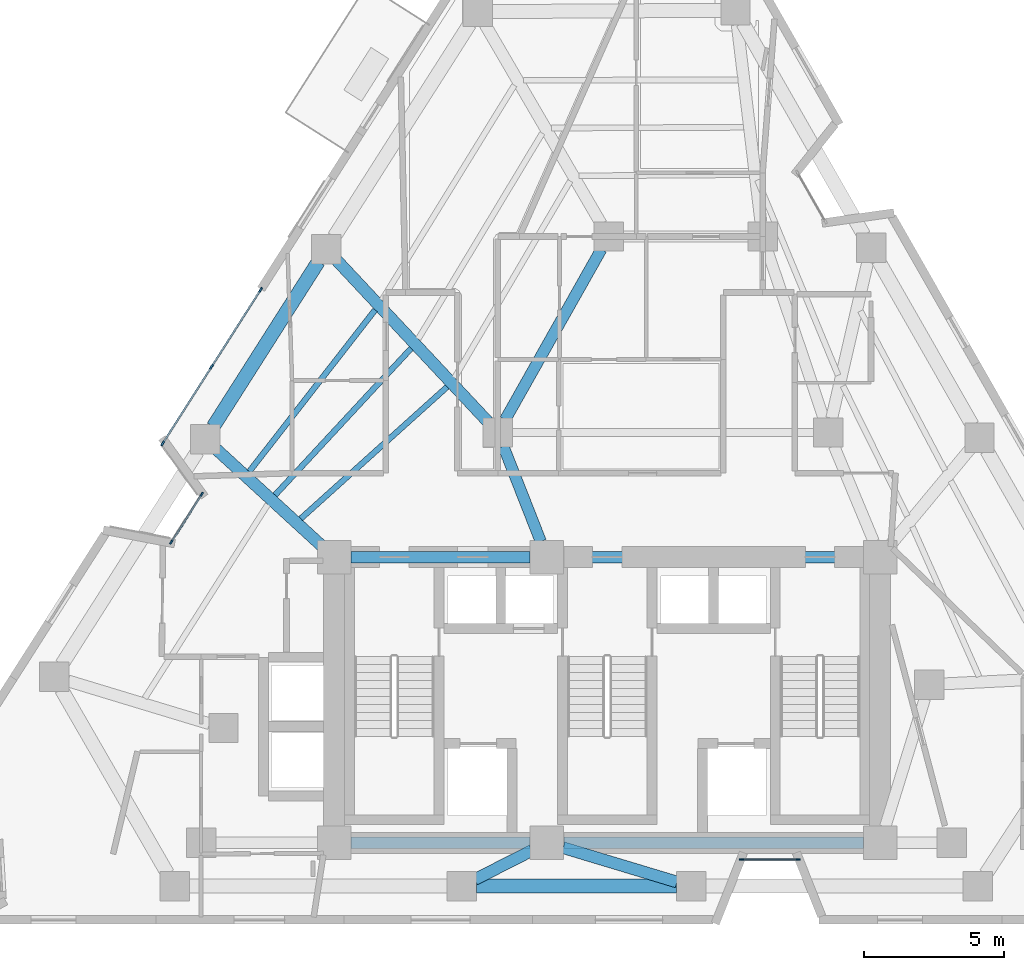
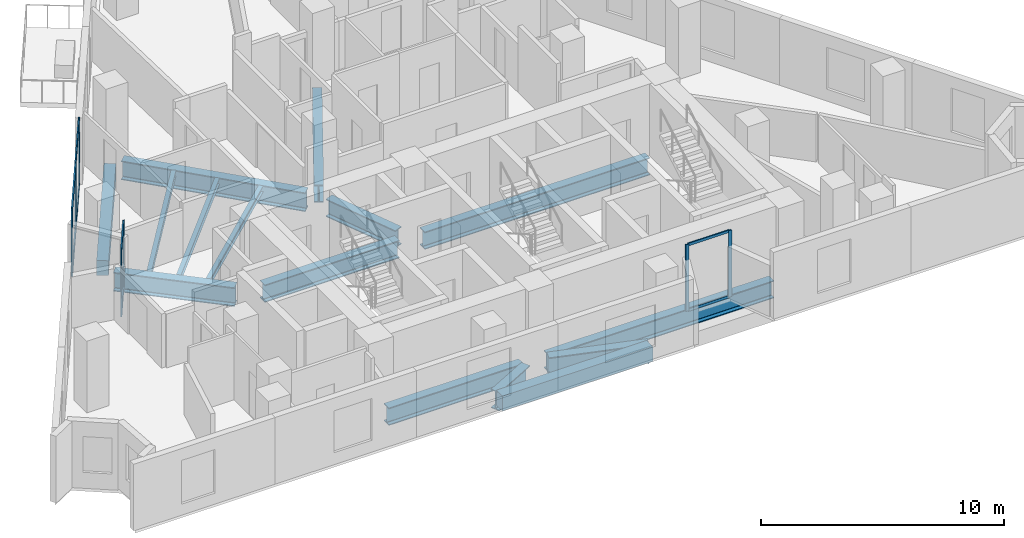
# One storey, part 2 of 11: 15 beams, 15 members, 3 elements without a shape of their own.
"""IFC4 building model written with IfcOpenShell, lengths in metres."""

from ifc_helpers import new_model, si_unit, direction, frame, origin, origin_2d, place, context, subcontext, project, spatial, rectangle, i_section, extrude, material, layer, layer_set, material_profile, profile_set, type_object, element, aggregate, save


model = new_model("IFC4")

# Units and contexts
model_context = context("Model", 3, precision=1e-05, world=origin(), true_north=direction((0.0, 1.0)))
body_context = subcontext(model_context, "Body", "Model", "MODEL_VIEW")
ifc_project = project(units=[si_unit("LENGTHUNIT", "METRE"), si_unit("AREAUNIT", "SQUARE_METRE"), si_unit("VOLUMEUNIT", "CUBIC_METRE"), si_unit("PLANEANGLEUNIT", "RADIAN"), si_unit("MASSUNIT", "GRAM", prefix="KILO")], contexts=[model_context])

# Site, building, storey
site_placement = place(None, origin())
site = spatial("IfcSite", under=ifc_project, at=site_placement, CompositionType="ELEMENT")
building_placement = place(site_placement, origin())
building = spatial("IfcBuilding", under=site, at=building_placement, Name="Almagre Mirador Tower", CompositionType="ELEMENT")
storey_placement = place(building_placement, frame((0.0, 0.0, 135.60009765625)))
storey = spatial("IfcBuildingStorey", under=building, at=storey_placement, Name="L34", CompositionType="ELEMENT", Elevation=135.60009765625)

# Beams
ifc_material_1 = material(Name="Steel ASTM A992 Grade 50", Category="steel")
ifc_material_profile_1 = material_profile(ifc_material_1, i_section(OverallWidth=0.205078125, OverallDepth=0.31005859375, WebThickness=0.009521484375, FlangeThickness=0.016357421875, FilletRadius=0.013916015625, at=origin_2d()), Name="W12X50")
ifc_profile_set_1 = profile_set([ifc_material_profile_1], Name="Steel ASTM A992 Grade 50")
beam_type_1 = type_object("IfcBeamType", Name="BM-JST-W12X50", PredefinedType="JOIST", material=ifc_profile_set_1)
beam_1_placement = place(storey_placement, frame((29.015869140625, 23.578369140625, -0.405029296875), z_axis=(-0.614273412144, -0.789093261366, 0.0), x_axis=(0.789093261366, -0.614273412144, 0.0)))
element("IfcBeam", 1, at=beam_1_placement, inside=storey, type_object=beam_type_1, Name="L34 secondary floor joist PC10-PC11.1", PredefinedType="JOIST", context=body_context, shape_type="SweptSolid", body=[
    extrude(i_section(OverallWidth=0.205078125, OverallDepth=0.31005859375, WebThickness=0.009521484375, FlangeThickness=0.016357421875, FilletRadius=0.013916015625, at=origin_2d()), origin(), (0.0, 0.0, 1.0), 7.312255859375),
])
beam_2_placement = place(storey_placement, frame((30.30029296875, 22.202880859375, -0.405029296875), z_axis=(-0.680187499741, -0.733038174446, 0.0), x_axis=(0.733038174446, -0.680187499741, 0.0)))
element("IfcBeam", 2, at=beam_2_placement, inside=storey, type_object=beam_type_1, Name="L34 secondary floor joist PC10-PC11.2", PredefinedType="JOIST", context=body_context, shape_type="SweptSolid", body=[
    extrude(i_section(OverallWidth=0.205078125, OverallDepth=0.31005859375, WebThickness=0.009521484375, FlangeThickness=0.016357421875, FilletRadius=0.013916015625, at=origin_2d()), origin(), (0.0, 0.0, 1.0), 7.1416015625),
])
beam_3_placement = place(storey_placement, frame((31.58544921875, 20.8291015625, -0.405029296875), z_axis=(-0.743221618639, -0.669045309069, 0.0), x_axis=(0.669045309069, -0.743221618639, 0.0)))
element("IfcBeam", 3, at=beam_3_placement, inside=storey, type_object=beam_type_1, Name="L34 secondary floor joist PC10-PC11.3", PredefinedType="JOIST", context=body_context, shape_type="SweptSolid", body=[
    extrude(i_section(OverallWidth=0.205078125, OverallDepth=0.31005859375, WebThickness=0.009521484375, FlangeThickness=0.016357421875, FilletRadius=0.013916015625, at=origin_2d()), origin(), (0.0, 0.0, 1.0), 7.0302734375),
])
ifc_material_2 = material(Name="Precast concrete C50/60", Category="concrete")
ifc_material_profile_2 = material_profile(ifc_material_2, rectangle(XDim=0.5, YDim=0.75, at=origin_2d()), Name="RC500X750")
ifc_profile_set_2 = profile_set([ifc_material_profile_2], Name="Precast concrete C50/60")
beam_type_2 = type_object("IfcBeamType", Name="BM-SPN-RC500X750", PredefinedType="SPANDREL", material=ifc_profile_set_2)
beam_4_placement = place(storey_placement, frame((32.62890625, 3.0, -0.625), z_axis=(1.0, 0.0, 0.0), x_axis=(0.0, 1.0, 0.0)))
element("IfcBeam", 4, at=beam_4_placement, inside=storey, type_object=beam_type_2, Name="L34 perimeter spandrel beam PC02-PC03", PredefinedType="SPANDREL", context=body_context, shape_type="SweptSolid", body=[
    extrude(rectangle(XDim=0.5, YDim=0.75, at=origin_2d()), origin(), (0.0, 0.0, 1.0), 7.14208984375),
])
beam_5_placement = place(storey_placement, frame((26.989990234375, 25.30419921875, -0.625), z_axis=(-0.537135259931, -0.843496124792, 0.0), x_axis=(0.843496124792, -0.537135259931, 0.0)))
element("IfcBeam", 5, at=beam_5_placement, inside=storey, type_object=beam_type_2, Name="L34 perimeter spandrel beam PC10-PC11", PredefinedType="SPANDREL", context=body_context, shape_type="SweptSolid", body=[
    extrude(rectangle(XDim=0.5, YDim=0.75, at=origin_2d()), origin(), (0.0, 0.0, 1.0), 6.992919921875),
])
ifc_material_3 = material(Name="Steel ASTM A992 Grade 50", Category="steel")
ifc_material_profile_3 = material_profile(ifc_material_3, i_section(OverallWidth=0.404052734375, OverallDepth=0.884033203125, WebThickness=0.0244140625, FlangeThickness=0.0439453125, FilletRadius=0.02490234375, at=origin_2d()), Name="W33X291")
ifc_profile_set_3 = profile_set([ifc_material_profile_3], Name="Steel ASTM A992 Grade 50")
beam_type_3 = type_object("IfcBeamType", Name="BM-STL-W33X291", PredefinedType="BEAM", material=ifc_profile_set_3)
beam_6_placement = place(storey_placement, frame((28.14990234375, 4.550048828125, -0.692138671875), z_axis=(1.0, 0.0, 0.0), x_axis=(0.0, 1.0, 0.0)))
element("IfcBeam", 6, at=beam_6_placement, inside=storey, type_object=beam_type_3, Name="L34 core tie girder CC1-CC2", PredefinedType="BEAM", context=body_context, shape_type="SweptSolid", body=[
    extrude(i_section(OverallWidth=0.404052734375, OverallDepth=0.884033203125, WebThickness=0.0244140625, FlangeThickness=0.0439453125, FilletRadius=0.02490234375, at=origin_2d()), origin(), (0.0, 0.0, 1.0), 6.400146484375),
])
beam_7_placement = place(storey_placement, frame((35.75, 4.550048828125, -0.692138671875), z_axis=(1.0, 0.0, 0.0), x_axis=(0.0, 1.0, 0.0)))
element("IfcBeam", 7, at=beam_7_placement, inside=storey, type_object=beam_type_3, Name="L34 core tie girder CC2-CC3", PredefinedType="BEAM", context=body_context, shape_type="SweptSolid", body=[
    extrude(i_section(OverallWidth=0.404052734375, OverallDepth=0.884033203125, WebThickness=0.0244140625, FlangeThickness=0.0439453125, FilletRadius=0.02490234375, at=origin_2d()), origin(), (0.0, 0.0, 1.0), 10.699951171875),
])
beam_8_placement = place(storey_placement, frame((28.14990234375, 14.75, -0.692138671875), z_axis=(1.0, 0.0, 0.0), x_axis=(0.0, 1.0, 0.0)))
element("IfcBeam", 8, at=beam_8_placement, inside=storey, type_object=beam_type_3, Name="L34 core tie girder CC4-CC5", PredefinedType="BEAM", context=body_context, shape_type="SweptSolid", body=[
    extrude(i_section(OverallWidth=0.404052734375, OverallDepth=0.884033203125, WebThickness=0.0244140625, FlangeThickness=0.0439453125, FilletRadius=0.02490234375, at=origin_2d()), origin(), (0.0, 0.0, 1.0), 6.400146484375),
])
beam_9_placement = place(storey_placement, frame((35.75, 14.75, -0.692138671875), z_axis=(1.0, 0.0, 0.0), x_axis=(0.0, 1.0, 0.0)))
element("IfcBeam", 9, at=beam_9_placement, inside=storey, type_object=beam_type_3, Name="L34 core tie girder CC5-CC6", PredefinedType="BEAM", context=body_context, shape_type="SweptSolid", body=[
    extrude(i_section(OverallWidth=0.404052734375, OverallDepth=0.884033203125, WebThickness=0.0244140625, FlangeThickness=0.0439453125, FilletRadius=0.02490234375, at=origin_2d()), origin(), (0.0, 0.0, 1.0), 10.699951171875),
])
beam_10_placement = place(storey_placement, frame((37.092041015625, 25.742919921875, -0.692138671875), z_axis=(-0.491443510044, -0.870909453638, 0.0), x_axis=(0.870909453638, -0.491443510044, 0.0)))
element("IfcBeam", 10, at=beam_10_placement, inside=storey, type_object=beam_type_3, Name="L34 core tie girder MC7-MC8", PredefinedType="BEAM", context=body_context, shape_type="SweptSolid", body=[
    extrude(i_section(OverallWidth=0.404052734375, OverallDepth=0.884033203125, WebThickness=0.0244140625, FlangeThickness=0.0439453125, FilletRadius=0.02490234375, at=origin_2d()), origin(), (0.0, 0.0, 1.0), 6.98779296875),
])
beam_11_placement = place(storey_placement, frame((33.592041015625, 18.71142578125, -0.692138671875), z_axis=(0.365997304164, -0.930615910752, 0.0), x_axis=(0.930615910752, 0.365997304164, 0.0)))
element("IfcBeam", 11, at=beam_11_placement, inside=storey, type_object=beam_type_3, Name="L34 core tie girder MC8-CC5", PredefinedType="BEAM", context=body_context, shape_type="SweptSolid", body=[
    extrude(i_section(OverallWidth=0.404052734375, OverallDepth=0.884033203125, WebThickness=0.0244140625, FlangeThickness=0.0439453125, FilletRadius=0.02490234375, at=origin_2d()), origin(), (0.0, 0.0, 1.0), 3.65673828125),
])
ifc_material_4 = material(Name="Steel ASTM A992 Grade 50", Category="steel")
ifc_material_profile_4 = material_profile(ifc_material_4, i_section(OverallWidth=0.423095703125, OverallDepth=0.947998046875, WebThickness=0.02392578125, FlangeThickness=0.042724609375, FilletRadius=0.028076171875, at=origin_2d()), Name="W36X302")
ifc_profile_set_4 = profile_set([ifc_material_profile_4], Name="Steel ASTM A992 Grade 50")
beam_type_4 = type_object("IfcBeamType", Name="BM-STL-W36X302", PredefinedType="BEAM", material=ifc_profile_set_4)
beam_12_placement = place(storey_placement, frame((32.572021484375, 3.238037109375, -0.72412109375), z_axis=(0.891231211208, 0.453549256606, 0.0), x_axis=(-0.453549256606, 0.891231211208, 0.0)))
element("IfcBeam", 12, at=beam_12_placement, inside=storey, type_object=beam_type_4, Name="L34 radial floor girder PC02-CC2", PredefinedType="BEAM", context=body_context, shape_type="SweptSolid", body=[
    extrude(i_section(OverallWidth=0.423095703125, OverallDepth=0.947998046875, WebThickness=0.02392578125, FlangeThickness=0.042724609375, FilletRadius=0.028076171875, at=origin_2d()), origin(), (0.0, 0.0, 1.0), 2.29248046875),
])
beam_13_placement = place(storey_placement, frame((39.793212890625, 3.1513671875, -0.72412109375), z_axis=(-0.957501498255, 0.288428294104, 0.0), x_axis=(-0.288428294104, -0.957501498255, 0.0)))
element("IfcBeam", 13, at=beam_13_placement, inside=storey, type_object=beam_type_4, Name="L34 radial floor girder PC03-CC2", PredefinedType="BEAM", context=body_context, shape_type="SweptSolid", body=[
    extrude(i_section(OverallWidth=0.423095703125, OverallDepth=0.947998046875, WebThickness=0.02392578125, FlangeThickness=0.042724609375, FilletRadius=0.028076171875, at=origin_2d()), origin(), (0.0, 0.0, 1.0), 4.249267578125),
])
beam_14_placement = place(storey_placement, frame((27.630859375, 25.36376953125, -0.72412109375), z_axis=(0.683347013073, -0.730093733519, 0.0), x_axis=(0.730093733519, 0.683347013073, 0.0)))
element("IfcBeam", 14, at=beam_14_placement, inside=storey, type_object=beam_type_4, Name="L34 radial floor girder PC10-MC8", PredefinedType="BEAM", context=body_context, shape_type="SweptSolid", body=[
    extrude(i_section(OverallWidth=0.423095703125, OverallDepth=0.947998046875, WebThickness=0.02392578125, FlangeThickness=0.042724609375, FilletRadius=0.028076171875, at=origin_2d()), origin(), (0.0, 0.0, 1.0), 7.91748046875),
])
beam_15_placement = place(storey_placement, frame((23.339111328125, 18.6083984375, -0.72412109375), z_axis=(0.73728894688, -0.675577537229, 0.0), x_axis=(0.675577537229, 0.73728894688, 0.0)))
element("IfcBeam", 15, at=beam_15_placement, inside=storey, type_object=beam_type_4, Name="L34 radial floor girder PC11-CC4", PredefinedType="BEAM", context=body_context, shape_type="SweptSolid", body=[
    extrude(i_section(OverallWidth=0.423095703125, OverallDepth=0.947998046875, WebThickness=0.02392578125, FlangeThickness=0.042724609375, FilletRadius=0.028076171875, at=origin_2d()), origin(), (0.0, 0.0, 1.0), 5.111328125),
])

# Curtain wall, members
ifc_material_5 = material(Name="Black anodized aluminium", Category="aluminium")
ifc_layer_1 = layer(ifc_material_5, 0.169921875)
ifc_layer_set_1 = layer_set([ifc_layer_1], Name="Black anodized aluminium")
curtain_wall_type_1 = type_object("IfcCurtainWallType", Name="CW-CRS-SYS", PredefinedType="NOTDEFINED", material=ifc_layer_set_1)
curtain_wall_1_placement = place(storey_placement, origin())
curtain_wall_1 = element("IfcCurtainWall", 16, at=curtain_wall_1_placement, inside=storey, type_object=curtain_wall_type_1, Name="L34 vertical crease curtain wall 01", PredefinedType="NOTDEFINED")
ifc_material_6 = material(Name="Black anodized aluminium", Category="aluminium")
ifc_material_profile_5 = material_profile(ifc_material_6, rectangle(XDim=0.06005859375, YDim=0.14990234375, at=origin_2d()), Name="CWM60X150")
ifc_profile_set_5 = profile_set([ifc_material_profile_5], Name="Black anodized aluminium")
member_type_1 = type_object("IfcMemberType", Name="MBR-CWM60X150", PredefinedType="MULLION", material=ifc_profile_set_5)
member_1_placement = place(storey_placement, frame((21.736083984375, 15.284423828125, 0.0), z_axis=(0.0, 0.0, 1.0), x_axis=(-0.84364178314, 0.536906455298, 0.0)))
member_1 = element("IfcMember", 17, at=member_1_placement, type_object=member_type_1, Name="CW-4 mullion 1", PredefinedType="MULLION", context=body_context, shape_type="SweptSolid", body=[
    extrude(rectangle(XDim=0.06005859375, YDim=0.14990234375, at=origin_2d()), origin(), (0.0, 0.0, 1.0), 3.349853515625),
])
member_2_placement = place(storey_placement, frame((22.825927734375, 16.99658203125, 0.0), z_axis=(0.0, 0.0, 1.0), x_axis=(-0.84364178314, 0.536906455298, 0.0)))
member_2 = element("IfcMember", 18, at=member_2_placement, type_object=member_type_1, Name="CW-4 mullion 2", PredefinedType="MULLION", context=body_context, shape_type="SweptSolid", body=[
    extrude(rectangle(XDim=0.06005859375, YDim=0.14990234375, at=origin_2d()), origin(), (0.0, 0.0, 1.0), 3.349853515625),
])

curtain_wall_2_placement = place(storey_placement, origin())
curtain_wall_2 = element("IfcCurtainWall", 19, at=curtain_wall_2_placement, inside=storey, type_object=curtain_wall_type_1, Name="L34 vertical crease curtain wall 04", PredefinedType="NOTDEFINED")
member_3_placement = place(storey_placement, frame((44.126953125, 3.949951171875, 0.0), z_axis=(0.0, 0.0, 1.0), x_axis=(0.0, -1.0, 0.0)))
member_3 = element("IfcMember", 20, at=member_3_placement, type_object=member_type_1, Name="CW-4 mullion 1", PredefinedType="MULLION", context=body_context, shape_type="SweptSolid", body=[
    extrude(rectangle(XDim=0.06005859375, YDim=0.14990234375, at=origin_2d()), origin(), (0.0, 0.0, 1.0), 3.349853515625),
])
member_4_placement = place(storey_placement, frame((42.096923828125, 3.949951171875, 0.0), z_axis=(0.0, 0.0, 1.0), x_axis=(0.0, -1.0, 0.0)))
member_4 = element("IfcMember", 21, at=member_4_placement, type_object=member_type_1, Name="CW-4 mullion 2", PredefinedType="MULLION", context=body_context, shape_type="SweptSolid", body=[
    extrude(rectangle(XDim=0.06005859375, YDim=0.14990234375, at=origin_2d()), origin(), (0.0, 0.0, 1.0), 3.349853515625),
])

ifc_material_7 = material(Name="Black anodized aluminium", Category="aluminium")
ifc_layer_2 = layer(ifc_material_7, 0.199951171875)
ifc_layer_set_2 = layer_set([ifc_layer_2], Name="Black anodized aluminium")
curtain_wall_type_2 = type_object("IfcCurtainWallType", Name="CW-RES-H-SYS", PredefinedType="NOTDEFINED", material=ifc_layer_set_2)
curtain_wall_3_placement = place(storey_placement, origin())
curtain_wall_3 = element("IfcCurtainWall", 22, at=curtain_wall_3_placement, inside=storey, type_object=curtain_wall_type_2, Name="L34 curtain wall run 02", PredefinedType="NOTDEFINED")
ifc_material_8 = material(Name="Black anodized aluminium", Category="aluminium")
ifc_material_profile_6 = material_profile(ifc_material_8, rectangle(XDim=0.06494140625, YDim=0.179931640625, at=origin_2d()), Name="CWM65X180")
ifc_profile_set_6 = profile_set([ifc_material_profile_6], Name="Black anodized aluminium")
member_type_2 = type_object("IfcMemberType", Name="MBR-CWM65X180", PredefinedType="MULLION", material=ifc_profile_set_6)
member_5_placement = place(storey_placement, frame((21.43017578125, 18.807373046875, 0.0), z_axis=(0.0, 0.0, 1.0), x_axis=(-0.843502236754, 0.537125661825, 0.0)))
member_5 = element("IfcMember", 23, at=member_5_placement, type_object=member_type_2, Name="CW-3 mullion 1", PredefinedType="MULLION", context=body_context, shape_type="SweptSolid", body=[
    extrude(rectangle(XDim=0.06494140625, YDim=0.179931640625, at=origin_2d()), origin(), (0.0, 0.0, 1.0), 3.349853515625),
])
member_6_placement = place(storey_placement, frame((23.177001953125, 21.55029296875, 0.0), z_axis=(0.0, 0.0, 1.0), x_axis=(-0.843502236754, 0.537125661825, 0.0)))
member_6 = element("IfcMember", 24, at=member_6_placement, type_object=member_type_2, Name="CW-3 mullion 2", PredefinedType="MULLION", context=body_context, shape_type="SweptSolid", body=[
    extrude(rectangle(XDim=0.06494140625, YDim=0.179931640625, at=origin_2d()), origin(), (0.0, 0.0, 1.0), 3.349853515625),
])
member_7_placement = place(storey_placement, frame((24.923828125, 24.29345703125, 0.0), z_axis=(0.0, 0.0, 1.0), x_axis=(-0.843502236754, 0.537125661825, 0.0)))
member_7 = element("IfcMember", 25, at=member_7_placement, type_object=member_type_2, Name="CW-3 mullion 3", PredefinedType="MULLION", context=body_context, shape_type="SweptSolid", body=[
    extrude(rectangle(XDim=0.06494140625, YDim=0.179931640625, at=origin_2d()), origin(), (0.0, 0.0, 1.0), 3.349853515625),
])

# Member
ifc_material_9 = material(Name="Black anodized aluminium", Category="aluminium")
ifc_material_profile_7 = material_profile(ifc_material_9, rectangle(XDim=0.06005859375, YDim=0.1298828125, at=origin_2d()), Name="CWT60X130")
ifc_profile_set_7 = profile_set([ifc_material_profile_7], Name="Black anodized aluminium")
member_type_3 = type_object("IfcMemberType", Name="MBR-CWT60X130", PredefinedType="USERDEFINED", material=ifc_profile_set_7)
member_8_placement = place(storey_placement, frame((21.752197265625, 15.3095703125, 0.02978515625), z_axis=(0.536899550534, 0.843646177397, 0.0), x_axis=(-0.843646177397, 0.536899550534, 0.0)))
member_8 = element("IfcMember", 26, at=member_8_placement, type_object=member_type_3, Name="CW-4 transom 1.1", ObjectType="TRANSOM", PredefinedType="USERDEFINED", context=body_context, shape_type="SweptSolid", body=[
    extrude(rectangle(XDim=0.06005859375, YDim=0.1298828125, at=origin_2d()), origin(), (0.0, 0.0, 1.0), 1.969970703125),
])

member_9_placement = place(storey_placement, frame((21.752197265625, 15.3095703125, 3.31982421875), z_axis=(0.536899550534, 0.843646177397, 0.0), x_axis=(-0.843646177397, 0.536899550534, 0.0)))
member_9 = element("IfcMember", 27, at=member_9_placement, type_object=member_type_3, Name="CW-4 transom 1.2", ObjectType="TRANSOM", PredefinedType="USERDEFINED", context=body_context, shape_type="SweptSolid", body=[
    extrude(rectangle(XDim=0.06005859375, YDim=0.1298828125, at=origin_2d()), origin(), (0.0, 0.0, 1.0), 1.969970703125),
])

aggregate(curtain_wall_1, [member_1, member_2, member_8, member_9])

member_10_placement = place(storey_placement, frame((44.096923828125, 3.949951171875, 0.02978515625), z_axis=(-1.0, 0.0, 0.0), x_axis=(0.0, -1.0, 0.0)))
member_10 = element("IfcMember", 28, at=member_10_placement, type_object=member_type_3, Name="CW-4 transom 1.1", ObjectType="TRANSOM", PredefinedType="USERDEFINED", context=body_context, shape_type="SweptSolid", body=[
    extrude(rectangle(XDim=0.06005859375, YDim=0.1298828125, at=origin_2d()), origin(), (0.0, 0.0, 1.0), 1.969970703125),
])

member_11_placement = place(storey_placement, frame((44.096923828125, 3.949951171875, 3.31982421875), z_axis=(-1.0, 0.0, 0.0), x_axis=(0.0, -1.0, 0.0)))
member_11 = element("IfcMember", 29, at=member_11_placement, type_object=member_type_3, Name="CW-4 transom 1.2", ObjectType="TRANSOM", PredefinedType="USERDEFINED", context=body_context, shape_type="SweptSolid", body=[
    extrude(rectangle(XDim=0.06005859375, YDim=0.1298828125, at=origin_2d()), origin(), (0.0, 0.0, 1.0), 1.969970703125),
])

aggregate(curtain_wall_2, [member_3, member_4, member_10, member_11])

ifc_material_10 = material(Name="Black anodized aluminium", Category="aluminium")
ifc_material_profile_8 = material_profile(ifc_material_10, rectangle(XDim=0.06494140625, YDim=0.14990234375, at=origin_2d()), Name="CWT65X150")
ifc_profile_set_8 = profile_set([ifc_material_profile_8], Name="Black anodized aluminium")
member_type_4 = type_object("IfcMemberType", Name="MBR-CWT65X150", PredefinedType="USERDEFINED", material=ifc_profile_set_8)
member_12_placement = place(storey_placement, frame((21.44775390625, 18.834716796875, 0.032470703125), z_axis=(0.53709357966, 0.843522665189, 0.0), x_axis=(-0.843522665189, 0.53709357966, 0.0)))
member_12 = element("IfcMember", 30, at=member_12_placement, type_object=member_type_4, Name="CW-3 transom 1.1", ObjectType="TRANSOM", PredefinedType="USERDEFINED", context=body_context, shape_type="SweptSolid", body=[
    extrude(rectangle(XDim=0.06494140625, YDim=0.14990234375, at=origin_2d()), origin(), (0.0, 0.0, 1.0), 3.18701171875),
])

member_13_placement = place(storey_placement, frame((21.44775390625, 18.834716796875, 3.3173828125), z_axis=(0.53709357966, 0.843522665189, 0.0), x_axis=(-0.843522665189, 0.53709357966, 0.0)))
member_13 = element("IfcMember", 31, at=member_13_placement, type_object=member_type_4, Name="CW-3 transom 1.2", ObjectType="TRANSOM", PredefinedType="USERDEFINED", context=body_context, shape_type="SweptSolid", body=[
    extrude(rectangle(XDim=0.06494140625, YDim=0.14990234375, at=origin_2d()), origin(), (0.0, 0.0, 1.0), 3.18701171875),
])

member_14_placement = place(storey_placement, frame((23.1943359375, 21.577880859375, 0.032470703125), z_axis=(0.537148084705, 0.843487957885, 0.0), x_axis=(-0.843487957885, 0.537148084705, 0.0)))
member_14 = element("IfcMember", 32, at=member_14_placement, type_object=member_type_4, Name="CW-3 transom 2.1", ObjectType="TRANSOM", PredefinedType="USERDEFINED", context=body_context, shape_type="SweptSolid", body=[
    extrude(rectangle(XDim=0.06494140625, YDim=0.14990234375, at=origin_2d()), origin(), (0.0, 0.0, 1.0), 3.18701171875),
])

member_15_placement = place(storey_placement, frame((23.1943359375, 21.577880859375, 3.3173828125), z_axis=(0.537148084705, 0.843487957885, 0.0), x_axis=(-0.843487957885, 0.537148084705, 0.0)))
member_15 = element("IfcMember", 33, at=member_15_placement, type_object=member_type_4, Name="CW-3 transom 2.2", ObjectType="TRANSOM", PredefinedType="USERDEFINED", context=body_context, shape_type="SweptSolid", body=[
    extrude(rectangle(XDim=0.06494140625, YDim=0.14990234375, at=origin_2d()), origin(), (0.0, 0.0, 1.0), 3.18701171875),
])

aggregate(curtain_wall_3, [member_5, member_6, member_7, member_12, member_13, member_14, member_15])

save(model, "model.ifc")
